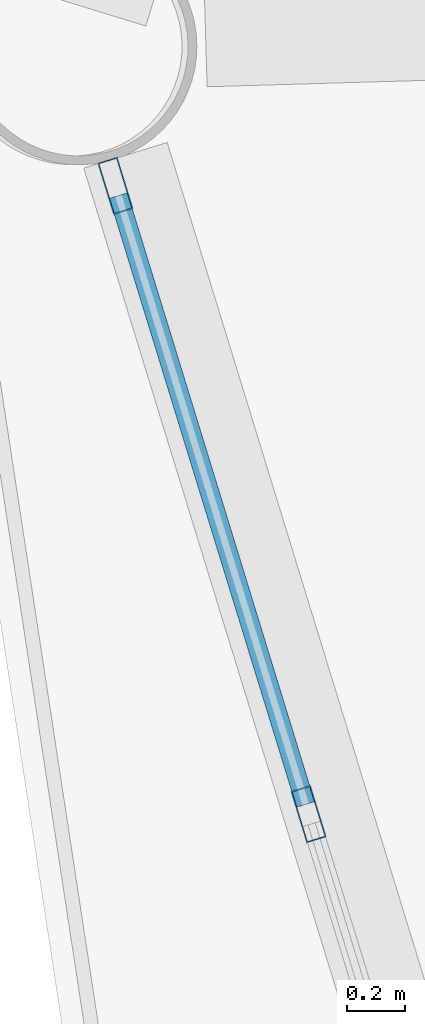
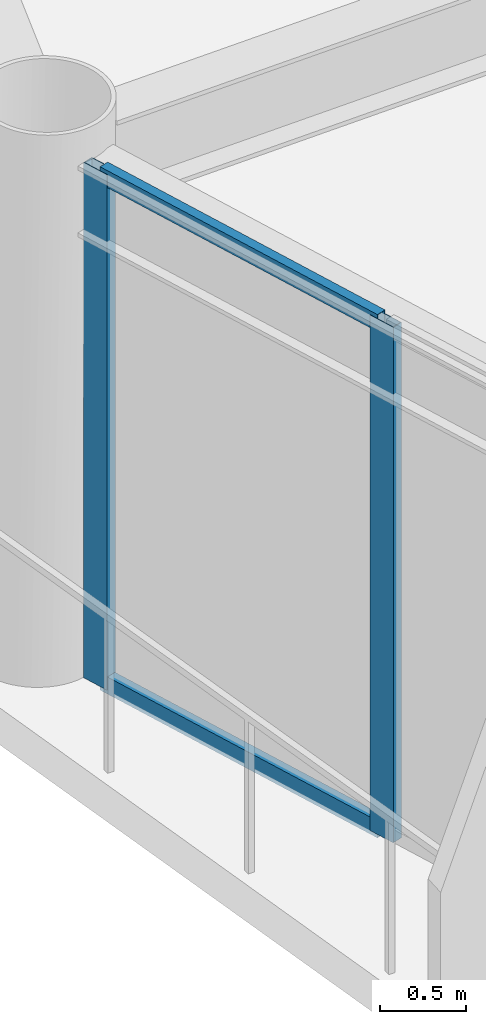
# One storey, part 8 of 24: 4 members, 1 element without a shape of its own.
"""IFC4 building model written with IfcOpenShell, lengths in metres."""

from ifc_helpers import new_model, si_unit, direction, frame, origin, origin_2d, place, context, subcontext, project, spatial, hollow_rectangle, extrude, material, layer, layer_set, material_profile, profile_set, type_object, element, aggregate, save


model = new_model("IFC4")

# Units and contexts
model_context = context("Model", 3, precision=1e-05, world=origin(), true_north=direction((0.0, 1.0)))
body_context = subcontext(model_context, "Body", "Model", "MODEL_VIEW")
ifc_project = project(units=[si_unit("LENGTHUNIT", "METRE"), si_unit("AREAUNIT", "SQUARE_METRE"), si_unit("VOLUMEUNIT", "CUBIC_METRE"), si_unit("PLANEANGLEUNIT", "RADIAN"), si_unit("MASSUNIT", "GRAM", prefix="KILO")], contexts=[model_context])

# Site, building, storey
site_placement = place(None, origin())
site = spatial("IfcSite", under=ifc_project, at=site_placement, CompositionType="ELEMENT")
building_placement = place(site_placement, origin())
building = spatial("IfcBuilding", under=site, at=building_placement, Name="Varnakorn Sky Granary", CompositionType="ELEMENT")
storey_placement = place(building_placement, frame((0.0, 0.0, 118.800048828125)))
storey = spatial("IfcBuildingStorey", under=building, at=storey_placement, Name="L29", CompositionType="ELEMENT", Elevation=118.800048828125)

# Curtain wall, members
ifc_material = material(Name="Anodised Bronze Aluminium Alloy 6063-T6", Category="aluminium")
ifc_layer = layer(ifc_material, 0.179931640625, Name="Anodised Bronze Aluminium Alloy 6063-T6")
ifc_layer_set = layer_set([ifc_layer], Name="Anodised Bronze Aluminium Alloy 6063-T6")
curtain_wall_type = type_object("IfcCurtainWallType", Name="CW-FRM-2", PredefinedType="USERDEFINED", material=ifc_layer_set)
curtain_wall_placement = place(storey_placement, origin())
curtain_wall = element("IfcCurtainWall", 1, at=curtain_wall_placement, inside=storey, type_object=curtain_wall_type, Name="Unitised Curtain Wall CW4 CW-L29-B07", ObjectType="CURTAIN WALL", PredefinedType="USERDEFINED")
ifc_material_profile_1 = material_profile(ifc_material, hollow_rectangle(XDim=0.070068359375, YDim=0.18505859375, WallThickness=0.00390625, at=origin_2d()), Name="ALU MULL 70x185")
ifc_profile_set_1 = profile_set([ifc_material_profile_1], Name="Anodised Bronze Aluminium Alloy 6063-T6")
member_type_1 = type_object("IfcMemberType", Name="CW-FRM-2-MULL", PredefinedType="MULLION", material=ifc_profile_set_1)
member_1_placement = place(storey_placement, frame((-22.00537109375, -2.6396484375, 0.0), z_axis=(0.0, 0.0, 1.0), x_axis=(-0.955823744525, -0.293940418116, 0.0)))
member_1 = element("IfcMember", 2, at=member_1_placement, type_object=member_type_1, Name="CW4 mullion 4", PredefinedType="MULLION", context=body_context, shape_type="SweptSolid", body=[
    extrude(hollow_rectangle(XDim=0.070068359375, YDim=0.18505859375, WallThickness=0.00390625, at=origin_2d()), origin(), (0.0, 0.0, 1.0), 3.639892578125),
])
member_2_placement = place(storey_placement, frame((-22.669677734375, -0.479248046875, 0.0), z_axis=(0.0, 0.0, 1.0), x_axis=(-0.955823744525, -0.293940418116, 0.0)))
member_2 = element("IfcMember", 3, at=member_2_placement, type_object=member_type_1, Name="CW4 mullion 5", PredefinedType="MULLION", context=body_context, shape_type="SweptSolid", body=[
    extrude(hollow_rectangle(XDim=0.070068359375, YDim=0.18505859375, WallThickness=0.00390625, at=origin_2d()), origin(), (0.0, 0.0, 1.0), 3.639892578125),
])
ifc_material_profile_2 = material_profile(ifc_material, hollow_rectangle(XDim=0.06494140625, YDim=0.1201171875, WallThickness=0.00341796875, at=origin_2d()), Name="ALU TRAN 65x120")
ifc_profile_set_2 = profile_set([ifc_material_profile_2], Name="Anodised Bronze Aluminium Alloy 6063-T6")
member_type_2 = type_object("IfcMemberType", Name="CW-FRM-2-TRAN", PredefinedType="USERDEFINED", material=ifc_profile_set_2)
member_3_placement = place(storey_placement, frame((-22.015625, -2.606201171875, 0.032470703125), z_axis=(-0.293937022502, 0.955824788757, 0.0), x_axis=(-0.955824788757, -0.293937022502, 0.0)))
member_3 = element("IfcMember", 4, at=member_3_placement, type_object=member_type_2, Name="CW4 transom 4.1", ObjectType="TRANSOM", PredefinedType="USERDEFINED", context=body_context, shape_type="SweptSolid", body=[
    extrude(hollow_rectangle(XDim=0.06494140625, YDim=0.1201171875, WallThickness=0.00341796875, at=origin_2d()), origin(), (0.0, 0.0, 1.0), 2.190185546875),
])
member_4_placement = place(storey_placement, frame((-22.015625, -2.606201171875, 3.607421875), z_axis=(-0.293937022502, 0.955824788757, 0.0), x_axis=(-0.955824788757, -0.293937022502, 0.0)))
member_4 = element("IfcMember", 5, at=member_4_placement, type_object=member_type_2, Name="CW4 transom 4.2", ObjectType="TRANSOM", PredefinedType="USERDEFINED", context=body_context, shape_type="SweptSolid", body=[
    extrude(hollow_rectangle(XDim=0.06494140625, YDim=0.1201171875, WallThickness=0.00341796875, at=origin_2d()), origin(), (0.0, 0.0, 1.0), 2.190185546875),
])
aggregate(curtain_wall, [member_1, member_2, member_3, member_4])

save(model, "model.ifc")
